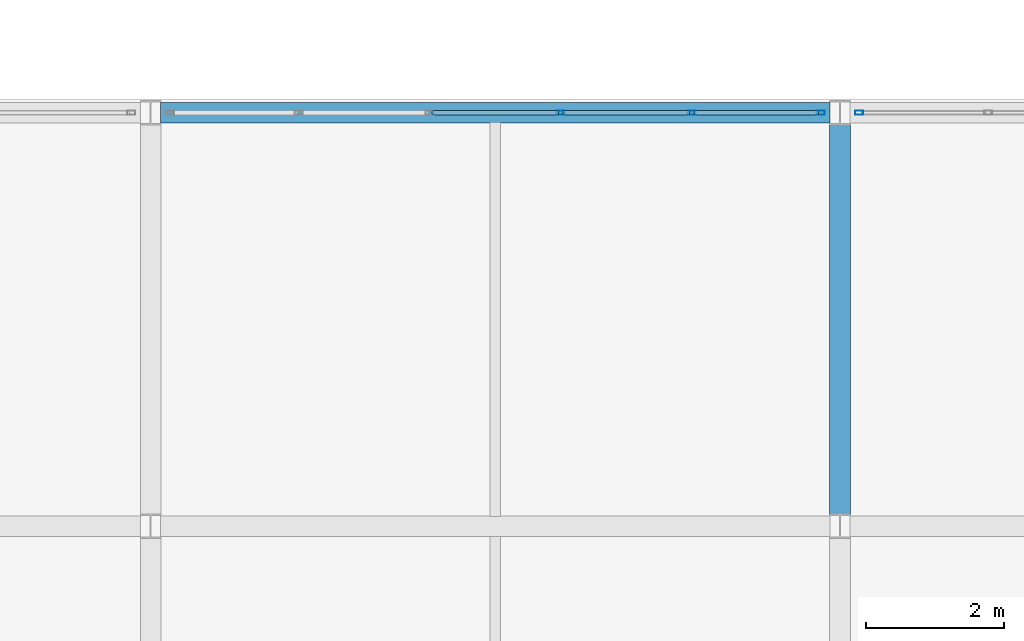
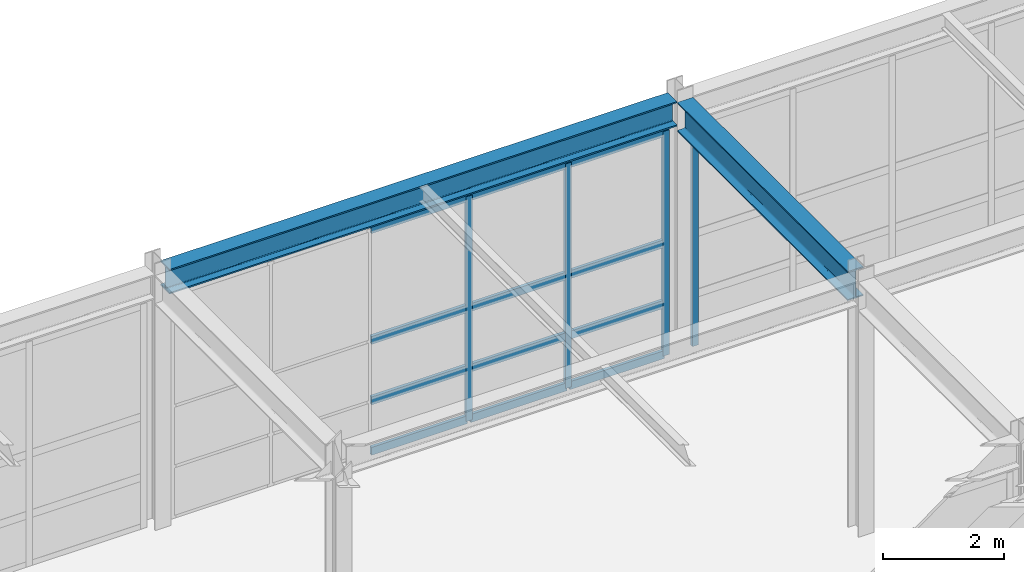
# One storey, part 175 of 239: 16 members, 2 beams, 2 elements without a shape of their own.
"""IFC4 building model written with IfcOpenShell, lengths in metres."""

from ifc_helpers import new_model, si_unit, direction, frame, origin, origin_2d, place, context, subcontext, project, spatial, hollow_rectangle, i_section, extrude, material, material_profile, profile_set, type_object, element, aggregate, save


model = new_model("IFC4")

# Units and contexts
model_context = context("Model", 3, precision=1e-05, world=origin(), true_north=direction((0.0, 1.0)))
body_context = subcontext(model_context, "Body", "Model", "MODEL_VIEW")
ifc_project = project(units=[si_unit("LENGTHUNIT", "METRE"), si_unit("AREAUNIT", "SQUARE_METRE"), si_unit("VOLUMEUNIT", "CUBIC_METRE"), si_unit("PLANEANGLEUNIT", "RADIAN"), si_unit("MASSUNIT", "GRAM", prefix="KILO")], contexts=[model_context])

# Site, building, storey
site_placement = place(None, origin())
site = spatial("IfcSite", under=ifc_project, at=site_placement, CompositionType="ELEMENT")
building_placement = place(site_placement, origin())
building = spatial("IfcBuilding", under=site, at=building_placement, Name="Kaldris Quays Convention Centre", CompositionType="ELEMENT")
storey_placement = place(building_placement, frame((0.0, 0.0, 11.39990234375)))
storey = spatial("IfcBuildingStorey", under=building, at=storey_placement, Name="L02", CompositionType="ELEMENT", Elevation=11.39990234375)

# Curtain wall, members
ifc_material_1 = material(Name="Anodized aluminium AW-6060 and triple glazing", Category="aluminium")
curtain_wall_type = type_object("IfcCurtainWallType", Name="UNITISED CURTAIN WALL CW06", PredefinedType="NOTDEFINED", material=ifc_material_1)
curtain_wall_1_placement = place(storey_placement, origin())
curtain_wall_1 = element("IfcCurtainWall", 1, at=curtain_wall_1_placement, inside=storey, type_object=curtain_wall_type, Name="L02 Unitised Curtain Wall CW06 168", PredefinedType="NOTDEFINED")
ifc_material_2 = material(Name="Anodized aluminium AW-6060", Category="aluminium")
ifc_material_profile_1 = material_profile(ifc_material_2, hollow_rectangle(XDim=0.06005859375, YDim=0.1201171875, WallThickness=0.00390625, at=origin_2d()), Name="RHS 120x60x4")
ifc_profile_set_1 = profile_set([ifc_material_profile_1], Name="Anodized aluminium AW-6060")
member_type_1 = type_object("IfcMemberType", Name="CURTAIN MULLION CWM3", PredefinedType="MULLION", material=ifc_profile_set_1)
member_1_placement = place(storey_placement, frame((179.949951171875, 116.0, 0.0), z_axis=(0.0, 0.0, 1.0), x_axis=(0.0, 1.0, 0.0)))
member_1 = element("IfcMember", 2, at=member_1_placement, type_object=member_type_1, Name="CW06 mullion 4", PredefinedType="MULLION", context=body_context, shape_type="SweptSolid", body=[
    extrude(hollow_rectangle(XDim=0.06005859375, YDim=0.1201171875, WallThickness=0.00390625, at=origin_2d()), origin(), (0.0, 0.0, 1.0), 4.548095703125),
])
member_2_placement = place(storey_placement, frame((181.85009765625, 116.0, 0.0), z_axis=(0.0, 0.0, 1.0), x_axis=(0.0, 1.0, 0.0)))
member_2 = element("IfcMember", 3, at=member_2_placement, type_object=member_type_1, Name="CW06 mullion 5", PredefinedType="MULLION", context=body_context, shape_type="SweptSolid", body=[
    extrude(hollow_rectangle(XDim=0.06005859375, YDim=0.1201171875, WallThickness=0.00390625, at=origin_2d()), origin(), (0.0, 0.0, 1.0), 4.548095703125),
])
member_3_placement = place(storey_placement, frame((183.719970703125, 116.0, 0.0), z_axis=(0.0, 0.0, 1.0), x_axis=(0.0, 1.0, 0.0)))
member_3 = element("IfcMember", 4, at=member_3_placement, type_object=member_type_1, Name="CW06 mullion 6", PredefinedType="MULLION", context=body_context, shape_type="SweptSolid", body=[
    extrude(hollow_rectangle(XDim=0.06005859375, YDim=0.1201171875, WallThickness=0.00390625, at=origin_2d()), origin(), (0.0, 0.0, 1.0), 4.548095703125),
])

# Curtain wall, member
curtain_wall_2_placement = place(storey_placement, origin())
curtain_wall_2 = element("IfcCurtainWall", 5, at=curtain_wall_2_placement, inside=storey, type_object=curtain_wall_type, Name="L02 Unitised Curtain Wall CW06 170", PredefinedType="NOTDEFINED")
member_4_placement = place(storey_placement, frame((184.280029296875, 116.0, 0.0), z_axis=(0.0, 0.0, 1.0), x_axis=(0.0, 1.0, 0.0)))
member_4 = element("IfcMember", 6, at=member_4_placement, type_object=member_type_1, Name="CW06 mullion 1", PredefinedType="MULLION", context=body_context, shape_type="SweptSolid", body=[
    extrude(hollow_rectangle(XDim=0.06005859375, YDim=0.1201171875, WallThickness=0.00390625, at=origin_2d()), origin(), (0.0, 0.0, 1.0), 4.548095703125),
])
aggregate(curtain_wall_2, [member_4])

# Member
ifc_material_profile_2 = material_profile(ifc_material_2, hollow_rectangle(XDim=0.06005859375, YDim=0.159912109375, WallThickness=0.00390625, at=origin_2d()), Name="RHS 160x60x4")
ifc_profile_set_2 = profile_set([ifc_material_profile_2], Name="Anodized aluminium AW-6060")
member_type_2 = type_object("IfcMemberType", Name="CURTAIN TRANSOM CWT2", PredefinedType="USERDEFINED", material=ifc_profile_set_2)
member_5_placement = place(storey_placement, frame((178.080078125, 116.0, 0.030029296875), z_axis=(1.0, 0.0, 0.0), x_axis=(0.0, 1.0, 0.0)))
member_5 = element("IfcMember", 7, at=member_5_placement, type_object=member_type_2, Name="CW06 transom 3.1", ObjectType="TRANSOM", PredefinedType="USERDEFINED", context=body_context, shape_type="SweptSolid", body=[
    extrude(hollow_rectangle(XDim=0.06005859375, YDim=0.159912109375, WallThickness=0.00390625, at=origin_2d()), origin(), (0.0, 0.0, 1.0), 1.83984375),
])

member_6_placement = place(storey_placement, frame((178.080078125, 116.0, 1.050048828125), z_axis=(1.0, 0.0, 0.0), x_axis=(0.0, 1.0, 0.0)))
member_6 = element("IfcMember", 8, at=member_6_placement, type_object=member_type_2, Name="CW06 transom 3.2", ObjectType="TRANSOM", PredefinedType="USERDEFINED", context=body_context, shape_type="SweptSolid", body=[
    extrude(hollow_rectangle(XDim=0.06005859375, YDim=0.159912109375, WallThickness=0.00390625, at=origin_2d()), origin(), (0.0, 0.0, 1.0), 1.83984375),
])

member_7_placement = place(storey_placement, frame((178.080078125, 116.0, 2.274169921875), z_axis=(1.0, 0.0, 0.0), x_axis=(0.0, 1.0, 0.0)))
member_7 = element("IfcMember", 9, at=member_7_placement, type_object=member_type_2, Name="CW06 transom 3.3", ObjectType="TRANSOM", PredefinedType="USERDEFINED", context=body_context, shape_type="SweptSolid", body=[
    extrude(hollow_rectangle(XDim=0.06005859375, YDim=0.159912109375, WallThickness=0.00390625, at=origin_2d()), origin(), (0.0, 0.0, 1.0), 1.83984375),
])

member_8_placement = place(storey_placement, frame((178.080078125, 116.0, 4.51806640625), z_axis=(1.0, 0.0, 0.0), x_axis=(0.0, 1.0, 0.0)))
member_8 = element("IfcMember", 10, at=member_8_placement, type_object=member_type_2, Name="CW06 transom 3.4", ObjectType="TRANSOM", PredefinedType="USERDEFINED", context=body_context, shape_type="SweptSolid", body=[
    extrude(hollow_rectangle(XDim=0.06005859375, YDim=0.159912109375, WallThickness=0.00390625, at=origin_2d()), origin(), (0.0, 0.0, 1.0), 1.83984375),
])

member_9_placement = place(storey_placement, frame((179.97998046875, 116.0, 0.030029296875), z_axis=(1.0, 0.0, 0.0), x_axis=(0.0, 1.0, 0.0)))
member_9 = element("IfcMember", 11, at=member_9_placement, type_object=member_type_2, Name="CW06 transom 4.1", ObjectType="TRANSOM", PredefinedType="USERDEFINED", context=body_context, shape_type="SweptSolid", body=[
    extrude(hollow_rectangle(XDim=0.06005859375, YDim=0.159912109375, WallThickness=0.00390625, at=origin_2d()), origin(), (0.0, 0.0, 1.0), 1.840087890625),
])

member_10_placement = place(storey_placement, frame((179.97998046875, 116.0, 1.050048828125), z_axis=(1.0, 0.0, 0.0), x_axis=(0.0, 1.0, 0.0)))
member_10 = element("IfcMember", 12, at=member_10_placement, type_object=member_type_2, Name="CW06 transom 4.2", ObjectType="TRANSOM", PredefinedType="USERDEFINED", context=body_context, shape_type="SweptSolid", body=[
    extrude(hollow_rectangle(XDim=0.06005859375, YDim=0.159912109375, WallThickness=0.00390625, at=origin_2d()), origin(), (0.0, 0.0, 1.0), 1.840087890625),
])

member_11_placement = place(storey_placement, frame((179.97998046875, 116.0, 2.274169921875), z_axis=(1.0, 0.0, 0.0), x_axis=(0.0, 1.0, 0.0)))
member_11 = element("IfcMember", 13, at=member_11_placement, type_object=member_type_2, Name="CW06 transom 4.3", ObjectType="TRANSOM", PredefinedType="USERDEFINED", context=body_context, shape_type="SweptSolid", body=[
    extrude(hollow_rectangle(XDim=0.06005859375, YDim=0.159912109375, WallThickness=0.00390625, at=origin_2d()), origin(), (0.0, 0.0, 1.0), 1.840087890625),
])

member_12_placement = place(storey_placement, frame((179.97998046875, 116.0, 4.51806640625), z_axis=(1.0, 0.0, 0.0), x_axis=(0.0, 1.0, 0.0)))
member_12 = element("IfcMember", 14, at=member_12_placement, type_object=member_type_2, Name="CW06 transom 4.4", ObjectType="TRANSOM", PredefinedType="USERDEFINED", context=body_context, shape_type="SweptSolid", body=[
    extrude(hollow_rectangle(XDim=0.06005859375, YDim=0.159912109375, WallThickness=0.00390625, at=origin_2d()), origin(), (0.0, 0.0, 1.0), 1.840087890625),
])

member_13_placement = place(storey_placement, frame((181.8798828125, 116.0, 0.030029296875), z_axis=(1.0, 0.0, 0.0), x_axis=(0.0, 1.0, 0.0)))
member_13 = element("IfcMember", 15, at=member_13_placement, type_object=member_type_2, Name="CW06 transom 5.1", ObjectType="TRANSOM", PredefinedType="USERDEFINED", context=body_context, shape_type="SweptSolid", body=[
    extrude(hollow_rectangle(XDim=0.06005859375, YDim=0.159912109375, WallThickness=0.00390625, at=origin_2d()), origin(), (0.0, 0.0, 1.0), 1.81005859375),
])

member_14_placement = place(storey_placement, frame((181.8798828125, 116.0, 1.050048828125), z_axis=(1.0, 0.0, 0.0), x_axis=(0.0, 1.0, 0.0)))
member_14 = element("IfcMember", 16, at=member_14_placement, type_object=member_type_2, Name="CW06 transom 5.2", ObjectType="TRANSOM", PredefinedType="USERDEFINED", context=body_context, shape_type="SweptSolid", body=[
    extrude(hollow_rectangle(XDim=0.06005859375, YDim=0.159912109375, WallThickness=0.00390625, at=origin_2d()), origin(), (0.0, 0.0, 1.0), 1.81005859375),
])

member_15_placement = place(storey_placement, frame((181.8798828125, 116.0, 2.274169921875), z_axis=(1.0, 0.0, 0.0), x_axis=(0.0, 1.0, 0.0)))
member_15 = element("IfcMember", 17, at=member_15_placement, type_object=member_type_2, Name="CW06 transom 5.3", ObjectType="TRANSOM", PredefinedType="USERDEFINED", context=body_context, shape_type="SweptSolid", body=[
    extrude(hollow_rectangle(XDim=0.06005859375, YDim=0.159912109375, WallThickness=0.00390625, at=origin_2d()), origin(), (0.0, 0.0, 1.0), 1.81005859375),
])

member_16_placement = place(storey_placement, frame((181.8798828125, 116.0, 4.51806640625), z_axis=(1.0, 0.0, 0.0), x_axis=(0.0, 1.0, 0.0)))
member_16 = element("IfcMember", 18, at=member_16_placement, type_object=member_type_2, Name="CW06 transom 5.4", ObjectType="TRANSOM", PredefinedType="USERDEFINED", context=body_context, shape_type="SweptSolid", body=[
    extrude(hollow_rectangle(XDim=0.06005859375, YDim=0.159912109375, WallThickness=0.00390625, at=origin_2d()), origin(), (0.0, 0.0, 1.0), 1.81005859375),
])

aggregate(curtain_wall_1, [member_1, member_2, member_3, member_5, member_6, member_7, member_8, member_9, member_10, member_11, member_12, member_13, member_14, member_15, member_16])

# Beams
ifc_material_3 = material(Name="Steel S355J2", Category="steel")
ifc_material_profile_3 = material_profile(ifc_material_3, i_section(OverallWidth=0.300048828125, OverallDepth=0.5, WebThickness=0.014404296875, FlangeThickness=0.028076171875, FilletRadius=0.027099609375, at=origin_2d()), Name="HEB 500")
ifc_profile_set_3 = profile_set([ifc_material_profile_3], Name="Steel S355J2")
beam_type_1 = type_object("IfcBeamType", Name="STRUCTURAL BEAM BM06", PredefinedType="BEAM", material=ifc_profile_set_3)
beam_1_placement = place(storey_placement, frame((174.14404296875, 116.0, 4.9130859375), z_axis=(1.0, 0.0, 0.0), x_axis=(0.0, 1.0, 0.0)))
element("IfcBeam", 19, at=beam_1_placement, inside=storey, type_object=beam_type_1, Name="L02 Girder BM06 54", PredefinedType="BEAM", context=body_context, shape_type="SweptSolid", body=[
    extrude(i_section(OverallWidth=0.300048828125, OverallDepth=0.5, WebThickness=0.014404296875, FlangeThickness=0.028076171875, FilletRadius=0.027099609375, at=origin_2d()), origin(), (0.0, 0.0, 1.0), 9.7119140625),
])
ifc_material_profile_4 = material_profile(ifc_material_3, i_section(OverallWidth=0.300048828125, OverallDepth=0.590087890625, WebThickness=0.012939453125, FlangeThickness=0.02490234375, FilletRadius=0.027099609375, at=origin_2d()), Name="HEA 600")
ifc_profile_set_4 = profile_set([ifc_material_profile_4], Name="Steel S355J2")
beam_type_2 = type_object("IfcBeamType", Name="STRUCTURAL BEAM BM08", PredefinedType="BEAM", material=ifc_profile_set_4)
beam_2_placement = place(storey_placement, frame((184.0, 110.174072265625, 4.8681640625), z_axis=(0.0, 1.0, 0.0), x_axis=(-1.0, 0.0, 0.0)))
element("IfcBeam", 20, at=beam_2_placement, inside=storey, type_object=beam_type_2, Name="L02 Girder BM08 107", PredefinedType="BEAM", context=body_context, shape_type="SweptSolid", body=[
    extrude(i_section(OverallWidth=0.300048828125, OverallDepth=0.590087890625, WebThickness=0.012939453125, FlangeThickness=0.02490234375, FilletRadius=0.027099609375, at=origin_2d()), origin(), (0.0, 0.0, 1.0), 5.65185546875),
])

save(model, "model.ifc")
